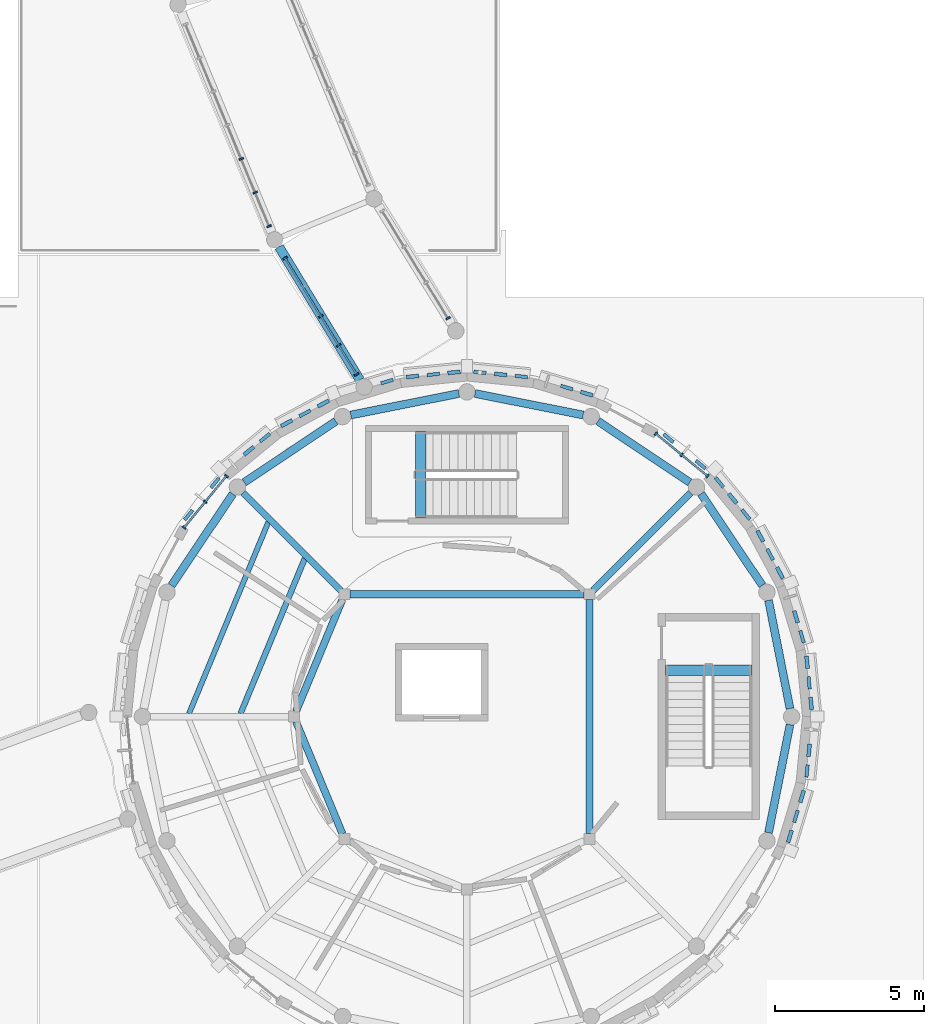
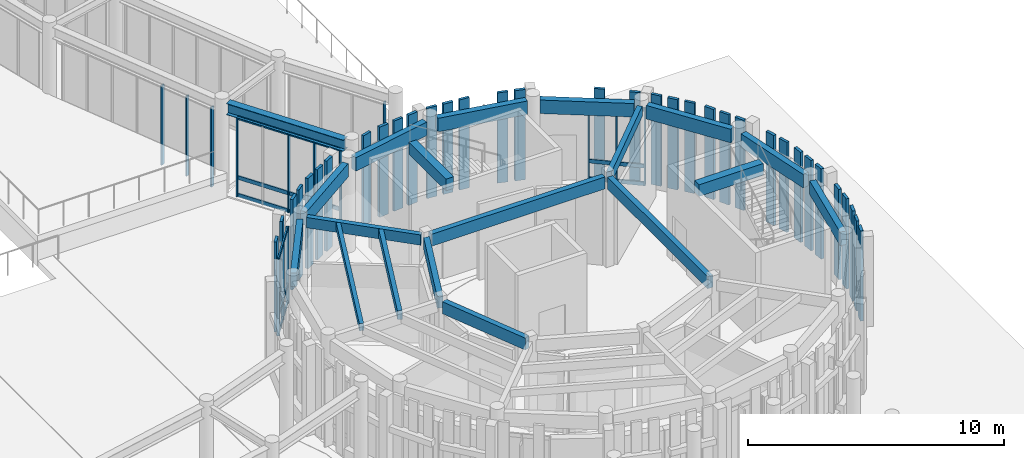
# One storey, part 26 of 94: 57 members, 19 beams, 5 elements without a shape of their own.
"""IFC4 building model written with IfcOpenShell, lengths in metres."""

import ifcopenshell
import ifcopenshell.guid

model = None  # the IFC model being written
_history = None  # IfcOwnerHistory: only IFC2X3 demands one
_inside = {}  # id of a spatial element -> (the spatial element, [elements in it])
_under = {}  # id of a project, library or spatial element -> (it, [spatial elements below it])
_declared = {}  # id of a project -> (the project, [libraries it declares])
_typed = {}  # id of a type object -> (the type object, [elements of that type])
_made_of = {}  # id of a material, layer set ... -> (it, [elements and type objects made of it])


def new_model(schema):
    """Start an empty IFC model of exactly this schema.

    Asked for "IFC4X3", IfcOpenShell would pick the latest addendum, in which some entities
    have other attributes; the version numbers below select the first issue.
    IFC2X3 requires an IfcOwnerHistory on every rooted entity: one is made here for all.
    """
    global model, _history
    if schema == "IFC4X3":
        model = ifcopenshell.file(schema_version=(4, 3, 0, 0))
    else:
        model = ifcopenshell.file(schema=schema)
    _inside.clear()
    _under.clear()
    _declared.clear()
    _typed.clear()
    _made_of.clear()
    _history = None
    if model.schema == "IFC2X3":
        org = make("IfcOrganization", Name="unknown")
        user = make(
            "IfcPersonAndOrganization",
            ThePerson=make("IfcPerson", FamilyName="unknown"),
            TheOrganization=org,
        )
        app = make(
            "IfcApplication",
            ApplicationDeveloper=org,
            Version="unknown",
            ApplicationFullName="unknown",
            ApplicationIdentifier="unknown",
        )
        _history = make(
            "IfcOwnerHistory",
            OwningUser=user,
            OwningApplication=app,
            ChangeAction="ADDED",
            CreationDate=0,
        )
    return model


def make(cls, **values):
    """One entity of the class cls with the attributes given. An attribute that is None is left unset."""
    return model.create_entity(
        cls, **{name: value for name, value in values.items() if value is not None}
    )


def rooted(cls, **values):
    """An entity with a GlobalId (a new one), such as an element, a storey or a relation."""
    return make(cls, GlobalId=ifcopenshell.guid.new(), OwnerHistory=_history, **values)


def si_unit(unit_type, name, prefix=None):
    """IfcSIUnit, for example si_unit("LENGTHUNIT", "METRE", prefix="MILLI")."""
    return make("IfcSIUnit", UnitType=unit_type, Prefix=prefix, Name=name)


def assignment(units):
    """IfcUnitAssignment: the units of a project."""
    return None if units is None else make("IfcUnitAssignment", Units=units)


def point(xyz):
    """IfcCartesianPoint."""
    return None if xyz is None else make("IfcCartesianPoint", Coordinates=xyz)


def direction(xyz):
    """IfcDirection."""
    return None if xyz is None else make("IfcDirection", DirectionRatios=xyz)


def frame(location, z_axis=None, x_axis=None):
    """IfcAxis2Placement3D, a coordinate frame: its origin and axes. An axis left out is left unset."""
    return make(
        "IfcAxis2Placement3D",
        Location=point(location),
        Axis=direction(z_axis),
        RefDirection=direction(x_axis),
    )


def frame_2d(location, x_axis=None):
    """IfcAxis2Placement2D, a coordinate frame in the plane: its origin and x axis."""
    return make(
        "IfcAxis2Placement2D", Location=point(location), RefDirection=direction(x_axis)
    )


def origin():
    """The frame at (0, 0, 0) with its axes left unset."""
    return frame((0.0, 0.0, 0.0))


def origin_2d():
    """The frame at (0, 0) in the plane with its x axis left unset."""
    return frame_2d((0.0, 0.0))


def place(relative_to, where):
    """IfcLocalPlacement: puts the frame where relative to a parent placement (None: the world)."""
    return make(
        "IfcLocalPlacement", PlacementRelTo=relative_to, RelativePlacement=where
    )


def context(
    kind, dimensions, precision=None, world=None, true_north=None, identifier=None
):
    """IfcGeometricRepresentationContext, for example the 3D "Model" context."""
    return make(
        "IfcGeometricRepresentationContext",
        ContextIdentifier=identifier,
        ContextType=kind,
        CoordinateSpaceDimension=dimensions,
        Precision=precision,
        WorldCoordinateSystem=world,
        TrueNorth=true_north,
    )


def subcontext(parent, identifier, kind, view, scale=None):
    """IfcGeometricRepresentationSubContext, for example "Body" below "Model"."""
    return make(
        "IfcGeometricRepresentationSubContext",
        ContextIdentifier=identifier,
        ContextType=kind,
        ParentContext=parent,
        TargetScale=scale,
        TargetView=view,
    )


def project(units=None, contexts=None):
    """IfcProject with its units and contexts."""
    return rooted(
        "IfcProject",
        Name="project",
        RepresentationContexts=contexts,
        UnitsInContext=assignment(units),
    )


def spatial(cls, under=None, at=None, **own):
    """A site, building, storey or space (cls), placed at a placement, below another one or the project."""
    s = rooted(cls, ObjectPlacement=at, **own)
    if under is not None:
        _under.setdefault(under.id(), (under, []))[1].append(s)
    return s


def profile(cls, at=None, kind="AREA", **sizes):
    """A parametric profile (cls). Its sizes go by their IFC names, for example OverallWidth=200.0."""
    return make(cls, ProfileType=kind, Position=at, **sizes)


def rectangle(**sizes):
    """IfcRectangleProfileDef."""
    return profile("IfcRectangleProfileDef", **sizes)


def i_section(**sizes):
    """IfcIShapeProfileDef."""
    return profile("IfcIShapeProfileDef", **sizes)


def extrude(swept, where, along, depth):
    """IfcExtrudedAreaSolid: the profile swept, set in the frame where, extruded along a direction by depth."""
    return make(
        "IfcExtrudedAreaSolid",
        SweptArea=swept,
        Position=where,
        ExtrudedDirection=direction(along),
        Depth=depth,
    )


def shape(context_of_items, identifier, shape_type, items):
    """IfcShapeRepresentation: the items that make up one representation, for example the "Body"."""
    return make(
        "IfcShapeRepresentation",
        ContextOfItems=context_of_items,
        RepresentationIdentifier=identifier,
        RepresentationType=shape_type,
        Items=items,
    )


def material(Name=None, Category=None):
    """IfcMaterial."""
    return make("IfcMaterial", Name=Name, Category=Category)


def layer(
    of_material, thickness, ventilated=None, Name=None, Category=None, Priority=None
):
    """IfcMaterialLayer: one layer of a wall or slab, of a material (None: an air gap)."""
    return make(
        "IfcMaterialLayer",
        Material=of_material,
        LayerThickness=thickness,
        IsVentilated=ventilated,
        Name=Name,
        Category=Category,
        Priority=Priority,
    )


def layer_set(layers, Name=None):
    """IfcMaterialLayerSet."""
    return make("IfcMaterialLayerSet", MaterialLayers=layers, LayerSetName=Name)


def material_profile(
    of_material, cross_section, Name=None, Category=None, Priority=None
):
    """IfcMaterialProfile: a cross section and its material."""
    return make(
        "IfcMaterialProfile",
        Name=Name,
        Material=of_material,
        Profile=cross_section,
        Priority=Priority,
        Category=Category,
    )


def profile_set(profiles, Name=None, composite=None):
    """IfcMaterialProfileSet."""
    return make(
        "IfcMaterialProfileSet",
        Name=Name,
        MaterialProfiles=profiles,
        CompositeProfile=composite,
    )


def made_of(thing, what):
    """Note that an element or type object is made of a material, layer set ...; save() writes the relation."""
    if what is not None:
        _made_of.setdefault(what.id(), (what, []))[1].append(thing)
    return thing


def type_object(cls, material=None, **own):
    """A type object (cls), such as IfcWallType, which elements share."""
    return made_of(rooted(cls, **own), material)


def element(
    cls,
    number,
    at=None,
    inside=None,
    cuts=None,
    type_object=None,
    material=None,
    context=None,
    identifier="Body",
    shape_type=None,
    held_by="IfcProductDefinitionShape",
    body=None,
    shapes=None,
    **own,
):
    """One element of the class cls, such as IfcWall. Its Tag is "e" and its number.

    at: its placement. inside: the storey or other place that contains it. cuts: it is an
    opening in that element (IfcRelVoidsElement). A single representation is given by context,
    identifier, shape_type and body (its items); several are given by shapes. held_by: the class
    of the entity that holds the representations. save() writes the other relations.
    """
    e = rooted(cls, Tag="e%d" % number, ObjectPlacement=at, **own)
    if body is not None:
        shapes = [shape(context, identifier, shape_type, body)]
    if shapes is not None:
        e.Representation = make(held_by, Representations=shapes)
    if inside is not None:
        _inside.setdefault(inside.id(), (inside, []))[1].append(e)
    if cuts is not None:
        rooted(
            "IfcRelVoidsElement", RelatingBuildingElement=cuts, RelatedOpeningElement=e
        )
    if type_object is not None:
        _typed.setdefault(type_object.id(), (type_object, []))[1].append(e)
    return made_of(e, material)


def aggregate(whole, parts):
    """IfcRelAggregates: a whole, such as a stair, and the parts it consists of."""
    return rooted("IfcRelAggregates", RelatingObject=whole, RelatedObjects=parts)


def save(model, path):
    """Write the relations noted so far, then the file.

    IfcRelAggregates (storeys below a building ...), IfcRelContainedInSpatialStructure (elements
    in a storey), IfcRelDefinesByType, IfcRelAssociatesMaterial and IfcRelDeclares: one each for
    every whole, place, type object, material and project.
    """
    for whole, parts in _under.values():
        aggregate(whole, parts)
    for where, things in _inside.values():
        rooted(
            "IfcRelContainedInSpatialStructure",
            RelatedElements=things,
            RelatingStructure=where,
        )
    for kind, things in _typed.values():
        rooted("IfcRelDefinesByType", RelatedObjects=things, RelatingType=kind)
    for what, things in _made_of.values():
        rooted("IfcRelAssociatesMaterial", RelatedObjects=things, RelatingMaterial=what)
    for by, libraries in _declared.values():
        rooted("IfcRelDeclares", RelatingContext=by, RelatedDefinitions=libraries)
    model.write(path)


model = new_model("IFC4")

# Units and contexts
model_context = context("Model", 3, precision=1e-05, world=origin(), true_north=direction((0.0, 1.0)))
body_context = subcontext(model_context, "Body", "Model", "MODEL_VIEW")
ifc_project = project(units=[si_unit("LENGTHUNIT", "METRE"), si_unit("AREAUNIT", "SQUARE_METRE"), si_unit("VOLUMEUNIT", "CUBIC_METRE"), si_unit("PLANEANGLEUNIT", "RADIAN"), si_unit("MASSUNIT", "GRAM", prefix="KILO")], contexts=[model_context])

# Site, building, storey
site_placement = place(None, origin())
site = spatial("IfcSite", under=ifc_project, at=site_placement, CompositionType="ELEMENT")
building_placement = place(site_placement, origin())
building = spatial("IfcBuilding", under=site, at=building_placement, Name="Aldenvaro Health Centre", CompositionType="ELEMENT")
storey_placement = place(building_placement, origin())
storey = spatial("IfcBuildingStorey", under=building, at=storey_placement, Name="L00", CompositionType="ELEMENT", Elevation=0.0)

# Beams
ifc_material_1 = material(Name="Glulam GL28h", Category="wood")
ifc_material_profile_1 = material_profile(ifc_material_1, rectangle(XDim=0.175048828125, YDim=0.35009765625, at=origin_2d()), Name="GL 175x350", Category="wood")
ifc_profile_set_1 = profile_set([ifc_material_profile_1], Name="Glulam GL28h")
beam_type_1 = type_object("IfcBeamType", Name="BM-GL-350", PredefinedType="JOIST", material=ifc_profile_set_1)
beam_1_placement = place(storey_placement, frame((147.843017578125, 25.01611328125, 4.1298828125), z_axis=(-0.382677753705, -0.923881884669, 0.0), x_axis=(0.923881884669, -0.382677753705, 0.0)))
element("IfcBeam", 1, at=beam_1_placement, inside=storey, type_object=beam_type_1, Name="D6 L00 secondary joist 02.2", PredefinedType="JOIST", context=body_context, shape_type="SweptSolid", body=[
    extrude(rectangle(XDim=0.175048828125, YDim=0.35009765625, at=origin_2d()), origin(), (0.0, 0.0, 1.0), 6.94580078125),
])
ifc_material_profile_2 = material_profile(ifc_material_1, rectangle(XDim=0.18994140625, YDim=0.41796875, at=origin_2d()), Name="GL 190x418", Category="wood")
ifc_profile_set_2 = profile_set([ifc_material_profile_2], Name="Glulam GL28h")
beam_type_2 = type_object("IfcBeamType", Name="BM-GL-418", PredefinedType="JOIST", material=ifc_profile_set_2)
beam_2_placement = place(storey_placement, frame((149.06494140625, 23.794921875, 4.095947265625), z_axis=(-0.382783729155, -0.923837981842, 0.0), x_axis=(0.923837981842, -0.382783729155, 0.0)))
element("IfcBeam", 2, at=beam_2_placement, inside=storey, type_object=beam_type_2, Name="D6 L00 secondary joist 02.1", PredefinedType="JOIST", context=body_context, shape_type="SweptSolid", body=[
    extrude(rectangle(XDim=0.18994140625, YDim=0.41796875, at=origin_2d()), origin(), (0.0, 0.0, 1.0), 5.624267578125),
])
ifc_material_profile_3 = material_profile(ifc_material_1, rectangle(XDim=0.215087890625, YDim=0.493896484375, at=origin_2d()), Name="GL 215x494", Category="wood")
ifc_profile_set_3 = profile_set([ifc_material_profile_3], Name="Glulam GL28h")
beam_type_3 = type_object("IfcBeamType", Name="BM-GL-494", PredefinedType="BEAM", material=ifc_profile_set_3)
for number, where, z_axis, x_axis, name in (
    (3, (158.72998046875, 22.72998046875, 4.05810546875), (0.707106781187, 0.707106781187, 0.0), (-0.707106781187, 0.707106781187, 0.0), "D6 L00 radial beam 01"),
    (4, (150.27001953125, 22.72998046875, 4.05810546875), (-0.707106781187, 0.707106781187, 0.0), (-0.707106781187, -0.707106781187, 0.0), "D6 L00 radial beam 02"),
):
    element("IfcBeam", number, at=place(storey_placement, frame(where, z_axis=z_axis, x_axis=x_axis)), inside=storey, type_object=beam_type_3, Name=name, PredefinedType="BEAM", context=body_context, shape_type="SweptSolid", body=[
        extrude(rectangle(XDim=0.215087890625, YDim=0.493896484375, at=origin_2d()), origin(), (0.0, 0.0, 1.0), 4.623046875),
    ])
ifc_material_profile_4 = material_profile(ifc_material_1, rectangle(XDim=0.239990234375, YDim=0.570068359375, at=origin_2d()), Name="GL 240x570", Category="wood")
ifc_profile_set_4 = profile_set([ifc_material_profile_4], Name="Glulam GL28h")
beam_type_4 = type_object("IfcBeamType", Name="BM-GL-570", PredefinedType="BEAM", material=ifc_profile_set_4)
beam_3_placement = place(storey_placement, frame((158.41796875, 22.60107421875, 4.02001953125), z_axis=(-1.0, 0.0, 0.0), x_axis=(0.0, -1.0, 0.0)))
element("IfcBeam", 5, at=beam_3_placement, inside=storey, type_object=beam_type_4, Name="D6 L00 inner ring beam 01", PredefinedType="BEAM", context=body_context, shape_type="SweptSolid", body=[
    extrude(rectangle(XDim=0.239990234375, YDim=0.570068359375, at=origin_2d()), origin(), (0.0, 0.0, 1.0), 7.8359375),
])
for number, where, z_axis, x_axis, name in (
    (6, (150.3291015625, 22.431884765625, 4.02001953125), (-0.382771753617, -0.923842943705, 0.0), (0.923842943705, -0.382771753617, 0.0), "D6 L00 inner ring beam 02"),
    (7, (148.77001953125, 18.3310546875, 4.02001953125), (0.382771753617, -0.923842943705, 0.0), (0.923842943705, 0.382771753617, 0.0), "D6 L00 inner ring beam 03"),
):
    element("IfcBeam", number, at=place(storey_placement, frame(where, z_axis=z_axis, x_axis=x_axis)), inside=storey, type_object=beam_type_4, Name=name, PredefinedType="BEAM", context=body_context, shape_type="SweptSolid", body=[
        extrude(rectangle(XDim=0.239990234375, YDim=0.570068359375, at=origin_2d()), origin(), (0.0, 0.0, 1.0), 4.0732421875),
    ])
beam_4_placement = place(storey_placement, frame((158.60107421875, 14.5810546875, 4.02001953125), z_axis=(0.0, 1.0, 0.0), x_axis=(-1.0, 0.0, 0.0)))
element("IfcBeam", 8, at=beam_4_placement, inside=storey, type_object=beam_type_4, Name="D6 L00 inner ring beam 06", PredefinedType="BEAM", context=body_context, shape_type="SweptSolid", body=[
    extrude(rectangle(XDim=0.239990234375, YDim=0.570068359375, at=origin_2d()), origin(), (0.0, 0.0, 1.0), 7.8369140625),
])
ifc_material_profile_5 = material_profile(ifc_material_1, rectangle(XDim=0.264892578125, YDim=0.64599609375, at=origin_2d()), Name="GL 265x646", Category="wood")
ifc_profile_set_5 = profile_set([ifc_material_profile_5], Name="Glulam GL28h")
beam_type_5 = type_object("IfcBeamType", Name="BM-GL-646", PredefinedType="SPANDREL", material=ifc_profile_set_5)
beam_5_placement = place(storey_placement, frame((165.325927734375, 18.77001953125, 3.98193359375), z_axis=(-0.194857989237, 0.980831465661, 0.0), x_axis=(-0.980831465661, -0.194857989237, 0.0)))
element("IfcBeam", 9, at=beam_5_placement, inside=storey, type_object=beam_type_5, Name="D6 L00 perimeter spandrel 01", PredefinedType="SPANDREL", context=body_context, shape_type="SweptSolid", body=[
    extrude(rectangle(XDim=0.264892578125, YDim=0.64599609375, at=origin_2d()), origin(), (0.0, 0.0, 1.0), 3.69482421875),
])
for number, where, z_axis, x_axis, name in (
    (10, (164.39892578125, 22.89306640625, 3.98193359375), (-0.555752111176, 0.831348056426, 0.0), (-0.831348056426, -0.555752111176, 0.0), "D6 L00 perimeter spandrel 02"),
    (11, (161.964111328125, 26.345947265625, 3.98193359375), (-0.831348056426, 0.555752111176, 0.0), (-0.555752111176, -0.831348056426, 0.0), "D6 L00 perimeter spandrel 03"),
):
    element("IfcBeam", number, at=place(storey_placement, frame(where, z_axis=z_axis, x_axis=x_axis)), inside=storey, type_object=beam_type_5, Name=name, PredefinedType="SPANDREL", context=body_context, shape_type="SweptSolid", body=[
        extrude(rectangle(XDim=0.264892578125, YDim=0.64599609375, at=origin_2d()), origin(), (0.0, 0.0, 1.0), 3.694091796875),
    ])
for number, where, z_axis, x_axis, name in (
    (12, (158.39404296875, 28.60595703125, 3.98193359375), (-0.980831465661, 0.194857989237, 0.0), (-0.194857989237, -0.980831465661, 0.0), "D6 L00 perimeter spandrel 04"),
    (13, (154.22998046875, 29.325927734375, 3.98193359375), (-0.980831465661, -0.194857989237, 0.0), (0.194857989237, -0.980831465661, 0.0), "D6 L00 perimeter spandrel 05"),
):
    element("IfcBeam", number, at=place(storey_placement, frame(where, z_axis=z_axis, x_axis=x_axis)), inside=storey, type_object=beam_type_5, Name=name, PredefinedType="SPANDREL", context=body_context, shape_type="SweptSolid", body=[
        extrude(rectangle(XDim=0.264892578125, YDim=0.64599609375, at=origin_2d()), origin(), (0.0, 0.0, 1.0), 3.69482421875),
    ])
for number, where, z_axis, x_axis, name in (
    (14, (150.10693359375, 28.39892578125, 3.98193359375), (-0.831348056426, -0.555752111176, 0.0), (0.555752111176, -0.831348056426, 0.0), "D6 L00 perimeter spandrel 06"),
    (15, (146.654052734375, 25.964111328125, 3.98193359375), (-0.555752111176, -0.831348056426, 0.0), (0.831348056426, -0.555752111176, 0.0), "D6 L00 perimeter spandrel 07"),
):
    element("IfcBeam", number, at=place(storey_placement, frame(where, z_axis=z_axis, x_axis=x_axis)), inside=storey, type_object=beam_type_5, Name=name, PredefinedType="SPANDREL", context=body_context, shape_type="SweptSolid", body=[
        extrude(rectangle(XDim=0.264892578125, YDim=0.64599609375, at=origin_2d()), origin(), (0.0, 0.0, 1.0), 3.694091796875),
    ])
beam_6_placement = place(storey_placement, frame((164.60595703125, 14.60595703125, 3.98193359375), z_axis=(0.194857989237, 0.980831465661, 0.0), x_axis=(-0.980831465661, 0.194857989237, 0.0)))
element("IfcBeam", 16, at=beam_6_placement, inside=storey, type_object=beam_type_5, Name="D6 L00 perimeter spandrel 16", PredefinedType="SPANDREL", context=body_context, shape_type="SweptSolid", body=[
    extrude(rectangle(XDim=0.264892578125, YDim=0.64599609375, at=origin_2d()), origin(), (0.0, 0.0, 1.0), 3.69482421875),
])
ifc_material_2 = material(Name="Concrete f'c 40 MPa", Category="concrete")
ifc_material_profile_6 = material_profile(ifc_material_2, rectangle(XDim=0.35009765625, YDim=0.56005859375, at=origin_2d()), Name="RC 350x560", Category="concrete")
ifc_profile_set_6 = profile_set([ifc_material_profile_6], Name="Concrete f'c 40 MPa")
beam_type_6 = type_object("IfcBeamType", Name="BM-RC-560", PredefinedType="JOIST", material=ifc_profile_set_6)
for number, where, z_axis, x_axis, name in (
    (17, (161.14990234375, 20.050048828125, 4.27001953125), (1.0, 0.0, 0.0), (0.0, 1.0, 0.0), "ST-11 L01 stair landing trimmer beam"),
    (18, (152.949951171875, 25.14990234375, 4.27001953125), (0.0, 1.0, 0.0), (-1.0, 0.0, 0.0), "ST-12 L01 stair landing trimmer beam"),
):
    element("IfcBeam", number, at=place(storey_placement, frame(where, z_axis=z_axis, x_axis=x_axis)), inside=storey, type_object=beam_type_6, Name=name, PredefinedType="JOIST", context=body_context, shape_type="SweptSolid", body=[
        extrude(rectangle(XDim=0.35009765625, YDim=0.56005859375, at=origin_2d()), origin(), (0.0, 0.0, 1.0), 2.900146484375),
    ])
ifc_material_3 = material(Name="Steel ASTM A992 Grade 50", Category="steel")
ifc_material_profile_7 = material_profile(ifc_material_3, i_section(OverallWidth=0.31201171875, OverallDepth=0.54296875, WebThickness=0.0126953125, FlangeThickness=0.020263671875, at=origin_2d()), Name="W21X101", Category="steel")
ifc_profile_set_7 = profile_set([ifc_material_profile_7], Name="Steel ASTM A992 Grade 50")
beam_type_7 = type_object("IfcBeamType", Name="BM-ST-W21E", PredefinedType="BEAM", material=ifc_profile_set_7)
beam_7_placement = place(storey_placement, frame((148.201904296875, 34.240966796875, 4.073974609375), z_axis=(0.51928071893, -0.854603729776, 0.0), x_axis=(0.854603729776, 0.51928071893, 0.0)))
element("IfcBeam", 19, at=beam_7_placement, inside=storey, type_object=beam_type_7, Name="East Curved Garden Colonnade Arc 8 L00 girder R-1", PredefinedType="BEAM", context=body_context, shape_type="SweptSolid", body=[
    extrude(i_section(OverallWidth=0.31201171875, OverallDepth=0.54296875, WebThickness=0.0126953125, FlangeThickness=0.020263671875, at=origin_2d()), origin(), (0.0, 0.0, 1.0), 5.220947265625),
])

# Curtain wall, members
ifc_material_4 = material(Name="Anodised Aluminium 6063-T6", Category="aluminium")
ifc_layer_1 = layer(ifc_material_4, 0.195068359375, Name="Anodised Aluminium 6063-T6", Category="aluminium")
ifc_layer_set_1 = layer_set([ifc_layer_1], Name="Anodised Aluminium 6063-T6")
curtain_wall_type_1 = type_object("IfcCurtainWallType", Name="CW-CLN-02", PredefinedType="NOTDEFINED", material=ifc_layer_set_1)
curtain_wall_1_placement = place(storey_placement, origin())
curtain_wall_1 = element("IfcCurtainWall", 20, at=curtain_wall_1_placement, inside=storey, type_object=curtain_wall_type_1, Name="D6 L00 curtain wall bay 20", PredefinedType="NOTDEFINED")
ifc_material_profile_8 = material_profile(ifc_material_4, rectangle(XDim=0.06005859375, YDim=0.135009765625, at=origin_2d()), Name="ALU 60x135", Category="aluminium")
ifc_profile_set_8 = profile_set([ifc_material_profile_8], Name="Anodised Aluminium 6063-T6")
member_type_1 = type_object("IfcMemberType", Name="CWM-150", PredefinedType="MULLION", material=ifc_profile_set_8)
member_1_placement = place(storey_placement, frame((145.02099609375, 24.833984375, 0.0), z_axis=(0.0, 0.0, 1.0), x_axis=(0.634577172169, 0.772859503767, 0.0)))
member_1 = element("IfcMember", 21, at=member_1_placement, type_object=member_type_1, Name="D6 L00 curtain wall bay 20 mullion 1", PredefinedType="MULLION", context=body_context, shape_type="SweptSolid", body=[
    extrude(rectangle(XDim=0.06005859375, YDim=0.135009765625, at=origin_2d()), origin(), (0.0, 0.0, 1.0), 3.658935546875),
])
member_2_placement = place(storey_placement, frame((145.72998046875, 25.697021484375, 0.0), z_axis=(0.0, 0.0, 1.0), x_axis=(0.634577172169, 0.772859503767, 0.0)))
member_2 = element("IfcMember", 22, at=member_2_placement, type_object=member_type_1, Name="D6 L00 curtain wall bay 20 mullion 2", PredefinedType="MULLION", context=body_context, shape_type="SweptSolid", body=[
    extrude(rectangle(XDim=0.06005859375, YDim=0.135009765625, at=origin_2d()), origin(), (0.0, 0.0, 1.0), 3.658935546875),
])
member_3_placement = place(storey_placement, frame((146.43896484375, 26.56103515625, 0.0), z_axis=(0.0, 0.0, 1.0), x_axis=(0.634577172169, 0.772859503767, 0.0)))
member_3 = element("IfcMember", 23, at=member_3_placement, type_object=member_type_1, Name="D6 L00 curtain wall bay 20 mullion 3", PredefinedType="MULLION", context=body_context, shape_type="SweptSolid", body=[
    extrude(rectangle(XDim=0.06005859375, YDim=0.135009765625, at=origin_2d()), origin(), (0.0, 0.0, 1.0), 3.658935546875),
])

curtain_wall_2_placement = place(storey_placement, origin())
curtain_wall_2 = element("IfcCurtainWall", 24, at=curtain_wall_2_placement, inside=storey, type_object=curtain_wall_type_1, Name="D6 L00 curtain wall bay 28", PredefinedType="NOTDEFINED")
member_4_placement = place(storey_placement, frame((160.833984375, 27.97900390625, 0.0), z_axis=(0.0, 0.0, 1.0), x_axis=(0.772859503767, -0.634577172169, 0.0)))
member_4 = element("IfcMember", 25, at=member_4_placement, type_object=member_type_1, Name="D6 L00 curtain wall bay 28 mullion 1", PredefinedType="MULLION", context=body_context, shape_type="SweptSolid", body=[
    extrude(rectangle(XDim=0.06005859375, YDim=0.135009765625, at=origin_2d()), origin(), (0.0, 0.0, 1.0), 3.658935546875),
])
member_5_placement = place(storey_placement, frame((161.697021484375, 27.27001953125, 0.0), z_axis=(0.0, 0.0, 1.0), x_axis=(0.772859503767, -0.634577172169, 0.0)))
member_5 = element("IfcMember", 26, at=member_5_placement, type_object=member_type_1, Name="D6 L00 curtain wall bay 28 mullion 2", PredefinedType="MULLION", context=body_context, shape_type="SweptSolid", body=[
    extrude(rectangle(XDim=0.06005859375, YDim=0.135009765625, at=origin_2d()), origin(), (0.0, 0.0, 1.0), 3.658935546875),
])
member_6_placement = place(storey_placement, frame((162.56103515625, 26.56103515625, 0.0), z_axis=(0.0, 0.0, 1.0), x_axis=(0.772859503767, -0.634577172169, 0.0)))
member_6 = element("IfcMember", 27, at=member_6_placement, type_object=member_type_1, Name="D6 L00 curtain wall bay 28 mullion 3", PredefinedType="MULLION", context=body_context, shape_type="SweptSolid", body=[
    extrude(rectangle(XDim=0.06005859375, YDim=0.135009765625, at=origin_2d()), origin(), (0.0, 0.0, 1.0), 3.658935546875),
])

ifc_layer_2 = layer(ifc_material_4, 0.2099609375, Name="Anodised Aluminium 6063-T6", Category="aluminium")
ifc_layer_set_2 = layer_set([ifc_layer_2], Name="Anodised Aluminium 6063-T6")
curtain_wall_type_2 = type_object("IfcCurtainWallType", Name="CW-BRG-03", PredefinedType="NOTDEFINED", material=ifc_layer_set_2)
curtain_wall_3_placement = place(storey_placement, origin())
curtain_wall_3 = element("IfcCurtainWall", 28, at=curtain_wall_3_placement, inside=storey, type_object=curtain_wall_type_2, Name="East Curved Garden Colonnade Arc 7 L00 glazed link wall R-1.1", PredefinedType="NOTDEFINED")
ifc_material_profile_9 = material_profile(ifc_material_4, rectangle(XDim=0.06005859375, YDim=0.159912109375, at=origin_2d()), Name="ALU 60x160", Category="aluminium")
ifc_profile_set_9 = profile_set([ifc_material_profile_9], Name="Anodised Aluminium 6063-T6")
member_type_2 = type_object("IfcMemberType", Name="CWM-180", PredefinedType="MULLION", material=ifc_profile_set_9)
member_7_placement = place(storey_placement, frame((146.93603515625, 37.18896484375, 0.0), z_axis=(0.0, 0.0, 1.0), x_axis=(0.382568850779, -0.923926985434, 0.0)))
member_7 = element("IfcMember", 29, at=member_7_placement, type_object=member_type_2, Name="East Curved Garden Colonnade Arc 7 L00 glazed link wall R-1.1 mullion 5", PredefinedType="MULLION", context=body_context, shape_type="SweptSolid", body=[
    extrude(rectangle(XDim=0.06005859375, YDim=0.159912109375, at=origin_2d()), origin(), (0.0, 0.0, 1.0), 3.804931640625),
])
member_8_placement = place(storey_placement, frame((147.403076171875, 36.06103515625, 0.0), z_axis=(0.0, 0.0, 1.0), x_axis=(0.382568850779, -0.923926985434, 0.0)))
member_8 = element("IfcMember", 30, at=member_8_placement, type_object=member_type_2, Name="East Curved Garden Colonnade Arc 7 L00 glazed link wall R-1.1 mullion 6", PredefinedType="MULLION", context=body_context, shape_type="SweptSolid", body=[
    extrude(rectangle(XDim=0.06005859375, YDim=0.159912109375, at=origin_2d()), origin(), (0.0, 0.0, 1.0), 3.804931640625),
])
member_9_placement = place(storey_placement, frame((147.8701171875, 34.93310546875, 0.0), z_axis=(0.0, 0.0, 1.0), x_axis=(0.382568850779, -0.923926985434, 0.0)))
member_9 = element("IfcMember", 31, at=member_9_placement, type_object=member_type_2, Name="East Curved Garden Colonnade Arc 7 L00 glazed link wall R-1.1 mullion 7", PredefinedType="MULLION", context=body_context, shape_type="SweptSolid", body=[
    extrude(rectangle(XDim=0.06005859375, YDim=0.159912109375, at=origin_2d()), origin(), (0.0, 0.0, 1.0), 3.804931640625),
])
aggregate(curtain_wall_3, [member_7, member_8, member_9])

# Curtain wall, member
curtain_wall_4_placement = place(storey_placement, origin())
curtain_wall_4 = element("IfcCurtainWall", 32, at=curtain_wall_4_placement, inside=storey, type_object=curtain_wall_type_2, Name="East Curved Garden Colonnade Arc 8 L00 glazed link wall L-1.1", PredefinedType="NOTDEFINED")
member_10_placement = place(storey_placement, frame((153.866943359375, 31.846923828125, 0.0), z_axis=(0.0, 0.0, 1.0), x_axis=(0.522628751784, -0.852560371944, 0.0)))
member_10 = element("IfcMember", 33, at=member_10_placement, type_object=member_type_2, Name="East Curved Garden Colonnade Arc 8 L00 glazed link wall L-1.1 mullion 4", PredefinedType="MULLION", context=body_context, shape_type="SweptSolid", body=[
    extrude(rectangle(XDim=0.06005859375, YDim=0.159912109375, at=origin_2d()), origin(), (0.0, 0.0, 1.0), 3.804931640625),
])
aggregate(curtain_wall_4, [member_10])

# Curtain wall, members
curtain_wall_5_placement = place(storey_placement, origin())
curtain_wall_5 = element("IfcCurtainWall", 34, at=curtain_wall_5_placement, inside=storey, type_object=curtain_wall_type_2, Name="East Curved Garden Colonnade Arc 8 L00 glazed link wall R-1.1", PredefinedType="NOTDEFINED")
member_11_placement = place(storey_placement, frame((148.406982421875, 33.865966796875, 0.0), z_axis=(0.0, 0.0, 1.0), x_axis=(0.522669699607, -0.852535269131, 0.0)))
member_11 = element("IfcMember", 35, at=member_11_placement, type_object=member_type_2, Name="East Curved Garden Colonnade Arc 8 L00 glazed link wall R-1.1 mullion 1", PredefinedType="MULLION", context=body_context, shape_type="SweptSolid", body=[
    extrude(rectangle(XDim=0.06005859375, YDim=0.159912109375, at=origin_2d()), origin(), (0.0, 0.0, 1.0), 3.804931640625),
])
member_12_placement = place(storey_placement, frame((149.60302734375, 31.916015625, 0.0), z_axis=(0.0, 0.0, 1.0), x_axis=(0.522669699607, -0.852535269131, 0.0)))
member_12 = element("IfcMember", 36, at=member_12_placement, type_object=member_type_2, Name="East Curved Garden Colonnade Arc 8 L00 glazed link wall R-1.1 mullion 3", PredefinedType="MULLION", context=body_context, shape_type="SweptSolid", body=[
    extrude(rectangle(XDim=0.06005859375, YDim=0.159912109375, at=origin_2d()), origin(), (0.0, 0.0, 1.0), 3.804931640625),
])
member_13_placement = place(storey_placement, frame((150.199951171875, 30.94091796875, 0.0), z_axis=(0.0, 0.0, 1.0), x_axis=(0.522669699607, -0.852535269131, 0.0)))
member_13 = element("IfcMember", 37, at=member_13_placement, type_object=member_type_2, Name="East Curved Garden Colonnade Arc 8 L00 glazed link wall R-1.1 mullion 4", PredefinedType="MULLION", context=body_context, shape_type="SweptSolid", body=[
    extrude(rectangle(XDim=0.06005859375, YDim=0.159912109375, at=origin_2d()), origin(), (0.0, 0.0, 1.0), 3.804931640625),
])
member_14_placement = place(storey_placement, frame((150.798095703125, 29.966064453125, 0.0), z_axis=(0.0, 0.0, 1.0), x_axis=(0.522669699607, -0.852535269131, 0.0)))
member_14 = element("IfcMember", 38, at=member_14_placement, type_object=member_type_2, Name="East Curved Garden Colonnade Arc 8 L00 glazed link wall R-1.1 mullion 5", PredefinedType="MULLION", context=body_context, shape_type="SweptSolid", body=[
    extrude(rectangle(XDim=0.06005859375, YDim=0.159912109375, at=origin_2d()), origin(), (0.0, 0.0, 1.0), 3.804931640625),
])

# Member
ifc_material_profile_10 = material_profile(ifc_material_4, rectangle(XDim=0.06494140625, YDim=0.179931640625, at=origin_2d()), Name="ALU 65x180", Category="aluminium")
ifc_profile_set_10 = profile_set([ifc_material_profile_10], Name="Anodised Aluminium 6063-T6")
member_type_3 = type_object("IfcMemberType", Name="CWT-150", PredefinedType="USERDEFINED", material=ifc_profile_set_10)
member_15_placement = place(storey_placement, frame((145.02099609375, 24.833984375, 0.06005859375), z_axis=(0.63455767339, 0.772875513354, 0.0), x_axis=(-0.772875513354, 0.63455767339, 0.0)))
member_15 = element("IfcMember", 39, at=member_15_placement, type_object=member_type_3, Name="D6 L00 curtain wall bay 20 transom 1", ObjectType="TRANSOM", PredefinedType="USERDEFINED", context=body_context, shape_type="SweptSolid", body=[
    extrude(rectangle(XDim=0.06494140625, YDim=0.179931640625, at=origin_2d()), origin(), (0.0, 0.0, 1.0), 2.234619140625),
])

member_16_placement = place(storey_placement, frame((145.02099609375, 24.833984375, 0.89990234375), z_axis=(0.63455767339, 0.772875513354, 0.0), x_axis=(-0.772875513354, 0.63455767339, 0.0)))
member_16 = element("IfcMember", 40, at=member_16_placement, type_object=member_type_3, Name="D6 L00 curtain wall bay 20 transom 2", ObjectType="TRANSOM", PredefinedType="USERDEFINED", context=body_context, shape_type="SweptSolid", body=[
    extrude(rectangle(XDim=0.06494140625, YDim=0.179931640625, at=origin_2d()), origin(), (0.0, 0.0, 1.0), 2.234619140625),
])

member_17_placement = place(storey_placement, frame((145.02099609375, 24.833984375, 3.59912109375), z_axis=(0.63455767339, 0.772875513354, 0.0), x_axis=(-0.772875513354, 0.63455767339, 0.0)))
member_17 = element("IfcMember", 41, at=member_17_placement, type_object=member_type_3, Name="D6 L00 curtain wall bay 20 transom 3", ObjectType="TRANSOM", PredefinedType="USERDEFINED", context=body_context, shape_type="SweptSolid", body=[
    extrude(rectangle(XDim=0.06494140625, YDim=0.179931640625, at=origin_2d()), origin(), (0.0, 0.0, 1.0), 2.234619140625),
])

aggregate(curtain_wall_1, [member_1, member_2, member_3, member_15, member_16, member_17])

member_18_placement = place(storey_placement, frame((160.833984375, 27.97900390625, 0.06005859375), z_axis=(0.772875513354, -0.63455767339, 0.0), x_axis=(0.63455767339, 0.772875513354, 0.0)))
member_18 = element("IfcMember", 42, at=member_18_placement, type_object=member_type_3, Name="D6 L00 curtain wall bay 28 transom 1", ObjectType="TRANSOM", PredefinedType="USERDEFINED", context=body_context, shape_type="SweptSolid", body=[
    extrude(rectangle(XDim=0.06494140625, YDim=0.179931640625, at=origin_2d()), origin(), (0.0, 0.0, 1.0), 2.234619140625),
])

member_19_placement = place(storey_placement, frame((160.833984375, 27.97900390625, 0.89990234375), z_axis=(0.772875513354, -0.63455767339, 0.0), x_axis=(0.63455767339, 0.772875513354, 0.0)))
member_19 = element("IfcMember", 43, at=member_19_placement, type_object=member_type_3, Name="D6 L00 curtain wall bay 28 transom 2", ObjectType="TRANSOM", PredefinedType="USERDEFINED", context=body_context, shape_type="SweptSolid", body=[
    extrude(rectangle(XDim=0.06494140625, YDim=0.179931640625, at=origin_2d()), origin(), (0.0, 0.0, 1.0), 2.234619140625),
])

member_20_placement = place(storey_placement, frame((160.833984375, 27.97900390625, 3.59912109375), z_axis=(0.772875513354, -0.63455767339, 0.0), x_axis=(0.63455767339, 0.772875513354, 0.0)))
member_20 = element("IfcMember", 44, at=member_20_placement, type_object=member_type_3, Name="D6 L00 curtain wall bay 28 transom 3", ObjectType="TRANSOM", PredefinedType="USERDEFINED", context=body_context, shape_type="SweptSolid", body=[
    extrude(rectangle(XDim=0.06494140625, YDim=0.179931640625, at=origin_2d()), origin(), (0.0, 0.0, 1.0), 2.234619140625),
])

aggregate(curtain_wall_2, [member_4, member_5, member_6, member_18, member_19, member_20])

member_21_placement = place(storey_placement, frame((148.406982421875, 33.865966796875, 0.06005859375), z_axis=(0.522697210085, -0.852518402481, 0.0), x_axis=(0.852518402481, 0.522697210085, 0.0)))
member_21 = element("IfcMember", 45, at=member_21_placement, type_object=member_type_3, Name="East Curved Garden Colonnade Arc 8 L00 glazed link wall R-1.1 transom 1", ObjectType="TRANSOM", PredefinedType="USERDEFINED", context=body_context, shape_type="SweptSolid", body=[
    extrude(rectangle(XDim=0.06494140625, YDim=0.179931640625, at=origin_2d()), origin(), (0.0, 0.0, 1.0), 4.574462890625),
])

member_22_placement = place(storey_placement, frame((148.406982421875, 33.865966796875, 0.89990234375), z_axis=(0.522697210085, -0.852518402481, 0.0), x_axis=(0.852518402481, 0.522697210085, 0.0)))
member_22 = element("IfcMember", 46, at=member_22_placement, type_object=member_type_3, Name="East Curved Garden Colonnade Arc 8 L00 glazed link wall R-1.1 transom 2", ObjectType="TRANSOM", PredefinedType="USERDEFINED", context=body_context, shape_type="SweptSolid", body=[
    extrude(rectangle(XDim=0.06494140625, YDim=0.179931640625, at=origin_2d()), origin(), (0.0, 0.0, 1.0), 4.574462890625),
])

member_23_placement = place(storey_placement, frame((148.406982421875, 33.865966796875, 3.7451171875), z_axis=(0.522697210085, -0.852518402481, 0.0), x_axis=(0.852518402481, 0.522697210085, 0.0)))
member_23 = element("IfcMember", 47, at=member_23_placement, type_object=member_type_3, Name="East Curved Garden Colonnade Arc 8 L00 glazed link wall R-1.1 transom 3", ObjectType="TRANSOM", PredefinedType="USERDEFINED", context=body_context, shape_type="SweptSolid", body=[
    extrude(rectangle(XDim=0.06494140625, YDim=0.179931640625, at=origin_2d()), origin(), (0.0, 0.0, 1.0), 4.574462890625),
])

aggregate(curtain_wall_5, [member_11, member_12, member_13, member_14, member_21, member_22, member_23])

# Members
ifc_material_profile_11 = material_profile(ifc_material_1, rectangle(XDim=0.114990234375, YDim=0.419921875, at=origin_2d()), Name="GL 115x420", Category="wood")
ifc_profile_set_11 = profile_set([ifc_material_profile_11], Name="Glulam GL28h")
member_type_4 = type_object("IfcMemberType", Name="MEM-SLT-420A", PredefinedType="POST", material=ifc_profile_set_11)
for number, where, z_axis, x_axis, name in (
    (48, (165.89599609375, 16.677001953125, 0.0), (0.0, 0.0, 1.0), (0.995186685493, -0.097997250052, 0.0), "D6 L00 vertical timber slat 1.3"),
    (49, (165.52392578125, 15.156005859375, 0.0), (0.0, 0.0, 1.0), (0.956922756407, -0.290342622208, 0.0), "D6 L00 vertical timber slat 2.2"),
    (50, (145.172119140625, 25.25390625, 0.0), (0.0, 0.0, 1.0), (-0.772859503767, 0.634577172169, 0.0), "D6 L00 curtain mullion timber slat 20"),
    (51, (146.056884765625, 26.33203125, 0.0), (0.0, 0.0, 1.0), (-0.772859503767, 0.634577172169, 0.0), "D6 L00 curtain mullion timber slat 20"),
    (52, (147.72998046875, 27.847900390625, 0.0), (0.0, 0.0, 1.0), (-0.634577172169, 0.772859503767, 0.0), "D6 L00 vertical timber slat 21.3"),
    (53, (149.069091796875, 28.659912109375, 0.0), (0.0, 0.0, 1.0), (-0.471215232797, 0.882018256263, 0.0), "D6 L00 vertical timber slat 22.2"),
    (54, (151.822998046875, 29.72705078125, 0.0), (0.0, 0.0, 1.0), (-0.290342622208, 0.956922756407, 0.0), "D6 L00 vertical timber slat 23.3"),
    (55, (153.37109375, 29.965087890625, 0.0), (0.0, 0.0, 1.0), (-0.097997250052, 0.995186685493, 0.0), "D6 L00 vertical timber slat 24.2"),
    (56, (154.93505859375, 30.032958984375, 0.0), (0.0, 0.0, 1.0), (0.097997250052, 0.995186685493, 0.0), "D6 L00 vertical timber slat 25.1"),
    (57, (156.322998046875, 29.89599609375, 0.0), (0.0, 0.0, 1.0), (0.097997250052, 0.995186685493, 0.0), "D6 L00 vertical timber slat 25.3"),
    (58, (157.843994140625, 29.52392578125, 0.0), (0.0, 0.0, 1.0), (0.290342622208, 0.956922756407, 0.0), "D6 L00 vertical timber slat 26.2"),
    (59, (161.25390625, 27.827880859375, 0.0), (0.0, 0.0, 1.0), (0.634577172169, 0.772859503767, 0.0), "D6 L00 curtain mullion timber slat 28"),
    (60, (162.33203125, 26.943115234375, 0.0), (0.0, 0.0, 1.0), (0.634577172169, 0.772859503767, 0.0), "D6 L00 curtain mullion timber slat 28"),
    (61, (162.962890625, 26.346923828125, 0.0), (0.0, 0.0, 1.0), (0.772859503767, 0.634577172169, 0.0), "D6 L00 vertical timber slat 29.1"),
    (62, (163.847900390625, 25.27001953125, 0.0), (0.0, 0.0, 1.0), (0.772859503767, 0.634577172169, 0.0), "D6 L00 vertical timber slat 29.3"),
    (63, (164.659912109375, 23.930908203125, 0.0), (0.0, 0.0, 1.0), (0.882018256263, 0.471215232797, 0.0), "D6 L00 vertical timber slat 30.2"),
    (64, (165.72705078125, 21.177001953125, 0.0), (0.0, 0.0, 1.0), (0.956922756407, 0.290342622208, 0.0), "D6 L00 vertical timber slat 31.3"),
    (65, (165.965087890625, 19.62890625, 0.0), (0.0, 0.0, 1.0), (0.995186685493, 0.097997250052, 0.0), "D6 L00 vertical timber slat 32.2"),
):
    element("IfcMember", number, at=place(storey_placement, frame(where, z_axis=z_axis, x_axis=x_axis)), inside=storey, type_object=member_type_4, Name=name, PredefinedType="POST", context=body_context, shape_type="SweptSolid", body=[
        extrude(rectangle(XDim=0.114990234375, YDim=0.419921875, at=origin_2d()), origin(), (0.0, 0.0, 1.0), 4.304931640625),
    ])
ifc_material_profile_12 = material_profile(ifc_material_1, rectangle(XDim=0.1298828125, YDim=0.419921875, at=origin_2d()), Name="GL 130x420", Category="wood")
ifc_profile_set_12 = profile_set([ifc_material_profile_12], Name="Glulam GL28h")
member_type_5 = type_object("IfcMemberType", Name="MEM-SLT-420B", PredefinedType="POST", material=ifc_profile_set_12)
for number, where, z_axis, x_axis, name in (
    (66, (165.965087890625, 17.37109375, 0.0), (0.0, 0.0, 1.0), (0.995186685493, -0.097997250052, 0.0), "D6 L00 vertical timber slat 1.2"),
    (67, (165.72705078125, 15.822998046875, 0.0), (0.0, 0.0, 1.0), (0.956922756407, -0.290342622208, 0.0), "D6 L00 vertical timber slat 2.1"),
    (68, (165.321044921875, 14.488037109375, 0.0), (0.0, 0.0, 1.0), (0.956922756407, -0.290342622208, 0.0), "D6 L00 vertical timber slat 2.3"),
    (69, (147.19091796875, 27.405029296875, 0.0), (0.0, 0.0, 1.0), (-0.634577172169, 0.772859503767, 0.0), "D6 L00 vertical timber slat 21.2"),
    (70, (148.4541015625, 28.3310546875, 0.0), (0.0, 0.0, 1.0), (-0.471215232797, 0.882018256263, 0.0), "D6 L00 vertical timber slat 22.1"),
    (71, (149.68408203125, 28.988037109375, 0.0), (0.0, 0.0, 1.0), (-0.471215232797, 0.882018256263, 0.0), "D6 L00 vertical timber slat 22.3"),
    (72, (152.677001953125, 29.89599609375, 0.0), (0.0, 0.0, 1.0), (-0.097997250052, 0.995186685493, 0.0), "D6 L00 vertical timber slat 24.1"),
    (73, (154.06494140625, 30.032958984375, 0.0), (0.0, 0.0, 1.0), (-0.097997250052, 0.995186685493, 0.0), "D6 L00 vertical timber slat 24.3"),
    (74, (155.62890625, 29.965087890625, 0.0), (0.0, 0.0, 1.0), (0.097997250052, 0.995186685493, 0.0), "D6 L00 vertical timber slat 25.2"),
    (75, (158.511962890625, 29.321044921875, 0.0), (0.0, 0.0, 1.0), (0.290342622208, 0.956922756407, 0.0), "D6 L00 vertical timber slat 26.3"),
    (76, (163.405029296875, 25.80908203125, 0.0), (0.0, 0.0, 1.0), (0.772859503767, 0.634577172169, 0.0), "D6 L00 vertical timber slat 29.2"),
    (77, (164.3310546875, 24.5458984375, 0.0), (0.0, 0.0, 1.0), (0.882018256263, 0.471215232797, 0.0), "D6 L00 vertical timber slat 30.1"),
    (78, (164.988037109375, 23.31591796875, 0.0), (0.0, 0.0, 1.0), (0.882018256263, 0.471215232797, 0.0), "D6 L00 vertical timber slat 30.3"),
    (79, (165.52392578125, 21.843994140625, 0.0), (0.0, 0.0, 1.0), (0.956922756407, 0.290342622208, 0.0), "D6 L00 vertical timber slat 31.2"),
    (80, (165.89599609375, 20.322998046875, 0.0), (0.0, 0.0, 1.0), (0.995186685493, 0.097997250052, 0.0), "D6 L00 vertical timber slat 32.1"),
    (81, (166.032958984375, 18.93505859375, 0.0), (0.0, 0.0, 1.0), (0.995186685493, 0.097997250052, 0.0), "D6 L00 vertical timber slat 32.3"),
):
    element("IfcMember", number, at=place(storey_placement, frame(where, z_axis=z_axis, x_axis=x_axis)), inside=storey, type_object=member_type_5, Name=name, PredefinedType="POST", context=body_context, shape_type="SweptSolid", body=[
        extrude(rectangle(XDim=0.1298828125, YDim=0.419921875, at=origin_2d()), origin(), (0.0, 0.0, 1.0), 4.304931640625),
    ])

save(model, "model.ifc")
